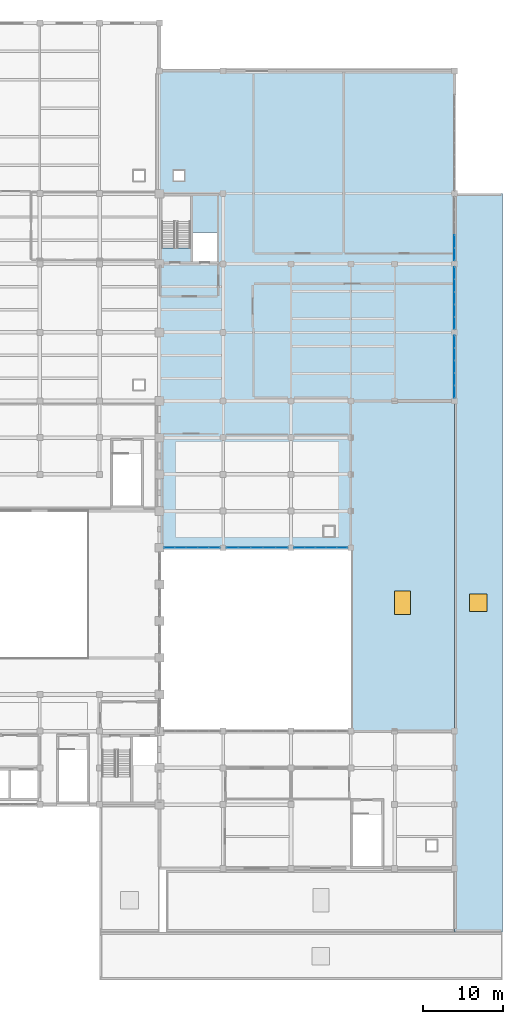
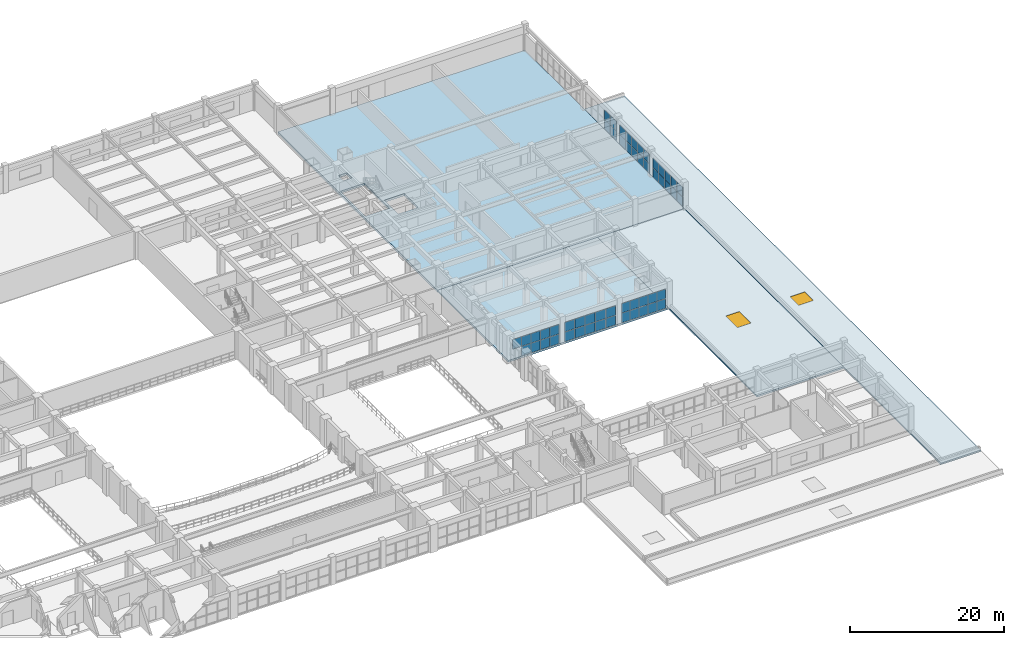
# One storey, part 61 of 90: 53 plates, 4 slabs, 2 windows, 2 openings, 6 elements without a shape of their own.
"""IFC4 building model written with IfcOpenShell, lengths in metres."""

from ifc_helpers import new_model, si_unit, direction, frame, origin, origin_2d, place, context, subcontext, project, spatial, polyline, rectangle, outline, extrude, material, layer, layer_set, type_object, element, fill, aggregate, save


model = new_model("IFC4")

# Units and contexts
model_context = context("Model", 3, precision=1e-05, world=origin(), true_north=direction((0.0, 1.0)))
body_context = subcontext(model_context, "Body", "Model", "MODEL_VIEW")
ifc_project = project(units=[si_unit("LENGTHUNIT", "METRE"), si_unit("AREAUNIT", "SQUARE_METRE"), si_unit("VOLUMEUNIT", "CUBIC_METRE"), si_unit("PLANEANGLEUNIT", "RADIAN"), si_unit("MASSUNIT", "GRAM", prefix="KILO")], contexts=[model_context])

# Site, building, storey
site_placement = place(None, origin())
site = spatial("IfcSite", under=ifc_project, at=site_placement, CompositionType="ELEMENT")
building_placement = place(site_placement, origin())
building = spatial("IfcBuilding", under=site, at=building_placement, Name="Muzn Square Opera House", CompositionType="ELEMENT")
storey_placement = place(building_placement, frame((0.0, 0.0, 9.800048828125)))
storey = spatial("IfcBuildingStorey", under=building, at=storey_placement, Name="L02", CompositionType="ELEMENT", Elevation=9.800048828125)

# Curtain wall, plates
ifc_material_1 = material(Name="Low-E laminated acoustic double glazing", Category="glass")
ifc_layer_1 = layer(ifc_material_1, 0.159912109375, Name="Low-E laminated acoustic double glazing", Category="glass")
ifc_layer_set_1 = layer_set([ifc_layer_1], Name="Low-E laminated acoustic double glazing")
curtain_wall_type_1 = type_object("IfcCurtainWallType", Name="Glazed Curtain Wall EastCloisterN 7075x3150", PredefinedType="USERDEFINED", material=ifc_layer_set_1)
curtain_wall_1_placement = place(storey_placement, origin())
curtain_wall_1 = element("IfcCurtainWall", 1, at=curtain_wall_1_placement, inside=storey, type_object=curtain_wall_type_1, Name="Glazed Curtain Wall CW-L02-100", ObjectType="GLAZED CURTAIN WALL", PredefinedType="USERDEFINED")
ifc_layer_2 = layer(ifc_material_1, 0.028076171875, Name="Low-E laminated acoustic double glazing", Category="glass")
ifc_layer_set_2 = layer_set([ifc_layer_2], Name="Low-E laminated acoustic double glazing")
plate_type = type_object("IfcPlateType", Name="Curtain Wall Acoustic Glazed Panel 28mm", PredefinedType="CURTAIN_PANEL", material=ifc_layer_set_2)
plate_1_placement = place(storey_placement, frame((134.2724609375, 54.199951171875, 1.60498046875), z_axis=(0.0, 0.0, 1.0), x_axis=(1.0, 0.0, 0.0)))
plate_1 = element("IfcPlate", 2, at=plate_1_placement, type_object=plate_type, Name="CW-ECN-70x31 panel 1.2", PredefinedType="CURTAIN_PANEL", context=body_context, shape_type="SweptSolid", body=[
    extrude(rectangle(XDim=1.324951171875, YDim=0.028076171875, at=origin_2d()), origin(), (0.0, 0.0, 1.0), 1.485107421875),
])
plate_2_placement = place(storey_placement, frame((135.672607421875, 54.199951171875, 0.06005859375), z_axis=(0.0, 0.0, 1.0), x_axis=(1.0, 0.0, 0.0)))
plate_2 = element("IfcPlate", 3, at=plate_2_placement, type_object=plate_type, Name="CW-ECN-70x31 panel 2.1", PredefinedType="CURTAIN_PANEL", context=body_context, shape_type="SweptSolid", body=[
    extrude(rectangle(XDim=1.35498046875, YDim=0.028076171875, at=origin_2d()), origin(), (0.0, 0.0, 1.0), 1.485107421875),
])
plate_3_placement = place(storey_placement, frame((135.672607421875, 54.199951171875, 1.60498046875), z_axis=(0.0, 0.0, 1.0), x_axis=(1.0, 0.0, 0.0)))
plate_3 = element("IfcPlate", 4, at=plate_3_placement, type_object=plate_type, Name="CW-ECN-70x31 panel 2.2", PredefinedType="CURTAIN_PANEL", context=body_context, shape_type="SweptSolid", body=[
    extrude(rectangle(XDim=1.35498046875, YDim=0.028076171875, at=origin_2d()), origin(), (0.0, 0.0, 1.0), 1.485107421875),
])
plate_4_placement = place(storey_placement, frame((137.08740234375, 54.199951171875, 0.06005859375), z_axis=(0.0, 0.0, 1.0), x_axis=(1.0, 0.0, 0.0)))
plate_4 = element("IfcPlate", 5, at=plate_4_placement, type_object=plate_type, Name="CW-ECN-70x31 panel 3.1", PredefinedType="CURTAIN_PANEL", context=body_context, shape_type="SweptSolid", body=[
    extrude(rectangle(XDim=1.35498046875, YDim=0.028076171875, at=origin_2d()), origin(), (0.0, 0.0, 1.0), 1.485107421875),
])
plate_5_placement = place(storey_placement, frame((137.08740234375, 54.199951171875, 1.60498046875), z_axis=(0.0, 0.0, 1.0), x_axis=(1.0, 0.0, 0.0)))
plate_5 = element("IfcPlate", 6, at=plate_5_placement, type_object=plate_type, Name="CW-ECN-70x31 panel 3.2", PredefinedType="CURTAIN_PANEL", context=body_context, shape_type="SweptSolid", body=[
    extrude(rectangle(XDim=1.35498046875, YDim=0.028076171875, at=origin_2d()), origin(), (0.0, 0.0, 1.0), 1.485107421875),
])
plate_6_placement = place(storey_placement, frame((138.50244140625, 54.199951171875, 0.06005859375), z_axis=(0.0, 0.0, 1.0), x_axis=(1.0, 0.0, 0.0)))
plate_6 = element("IfcPlate", 7, at=plate_6_placement, type_object=plate_type, Name="CW-ECN-70x31 panel 4.1", PredefinedType="CURTAIN_PANEL", context=body_context, shape_type="SweptSolid", body=[
    extrude(rectangle(XDim=1.35498046875, YDim=0.028076171875, at=origin_2d()), origin(), (0.0, 0.0, 1.0), 1.485107421875),
])
plate_7_placement = place(storey_placement, frame((138.50244140625, 54.199951171875, 1.60498046875), z_axis=(0.0, 0.0, 1.0), x_axis=(1.0, 0.0, 0.0)))
plate_7 = element("IfcPlate", 8, at=plate_7_placement, type_object=plate_type, Name="CW-ECN-70x31 panel 4.2", PredefinedType="CURTAIN_PANEL", context=body_context, shape_type="SweptSolid", body=[
    extrude(rectangle(XDim=1.35498046875, YDim=0.028076171875, at=origin_2d()), origin(), (0.0, 0.0, 1.0), 1.485107421875),
])
plate_8_placement = place(storey_placement, frame((139.902587890625, 54.199951171875, 0.06005859375), z_axis=(0.0, 0.0, 1.0), x_axis=(1.0, 0.0, 0.0)))
plate_8 = element("IfcPlate", 9, at=plate_8_placement, type_object=plate_type, Name="CW-ECN-70x31 panel 5.1", PredefinedType="CURTAIN_PANEL", context=body_context, shape_type="SweptSolid", body=[
    extrude(rectangle(XDim=1.324951171875, YDim=0.028076171875, at=origin_2d()), origin(), (0.0, 0.0, 1.0), 1.485107421875),
])
plate_9_placement = place(storey_placement, frame((139.902587890625, 54.199951171875, 1.60498046875), z_axis=(0.0, 0.0, 1.0), x_axis=(1.0, 0.0, 0.0)))
plate_9 = element("IfcPlate", 10, at=plate_9_placement, type_object=plate_type, Name="CW-ECN-70x31 panel 5.2", PredefinedType="CURTAIN_PANEL", context=body_context, shape_type="SweptSolid", body=[
    extrude(rectangle(XDim=1.324951171875, YDim=0.028076171875, at=origin_2d()), origin(), (0.0, 0.0, 1.0), 1.485107421875),
])
aggregate(curtain_wall_1, [plate_1, plate_2, plate_3, plate_4, plate_5, plate_6, plate_7, plate_8, plate_9])

ifc_layer_3 = layer(ifc_material_1, 0.159912109375, Name="Low-E laminated acoustic double glazing", Category="glass")
ifc_layer_set_3 = layer_set([ifc_layer_3], Name="Low-E laminated acoustic double glazing")
curtain_wall_type_2 = type_object("IfcCurtainWallType", Name="Glazed Curtain Wall EastCloisterN 7750x3150", PredefinedType="USERDEFINED", material=ifc_layer_set_3)
curtain_wall_2_placement = place(storey_placement, origin())
curtain_wall_2 = element("IfcCurtainWall", 11, at=curtain_wall_2_placement, inside=storey, type_object=curtain_wall_type_2, Name="Glazed Curtain Wall CW-L02-102", ObjectType="GLAZED CURTAIN WALL", PredefinedType="USERDEFINED")
plate_10_placement = place(storey_placement, frame((142.1650390625, 54.199951171875, 0.06005859375), z_axis=(0.0, 0.0, 1.0), x_axis=(1.0, 0.0, 0.0)))
plate_10 = element("IfcPlate", 12, at=plate_10_placement, type_object=plate_type, Name="CW-ECN-77x31 panel 1.1", PredefinedType="CURTAIN_PANEL", context=body_context, shape_type="SweptSolid", body=[
    extrude(rectangle(XDim=1.4599609375, YDim=0.028076171875, at=origin_2d()), origin(), (0.0, 0.0, 1.0), 1.485107421875),
])
plate_11_placement = place(storey_placement, frame((142.1650390625, 54.199951171875, 1.60498046875), z_axis=(0.0, 0.0, 1.0), x_axis=(1.0, 0.0, 0.0)))
plate_11 = element("IfcPlate", 13, at=plate_11_placement, type_object=plate_type, Name="CW-ECN-77x31 panel 1.2", PredefinedType="CURTAIN_PANEL", context=body_context, shape_type="SweptSolid", body=[
    extrude(rectangle(XDim=1.4599609375, YDim=0.028076171875, at=origin_2d()), origin(), (0.0, 0.0, 1.0), 1.485107421875),
])
plate_12_placement = place(storey_placement, frame((143.699951171875, 54.199951171875, 0.06005859375), z_axis=(0.0, 0.0, 1.0), x_axis=(1.0, 0.0, 0.0)))
plate_12 = element("IfcPlate", 14, at=plate_12_placement, type_object=plate_type, Name="CW-ECN-77x31 panel 2.1", PredefinedType="CURTAIN_PANEL", context=body_context, shape_type="SweptSolid", body=[
    extrude(rectangle(XDim=1.489990234375, YDim=0.028076171875, at=origin_2d()), origin(), (0.0, 0.0, 1.0), 1.485107421875),
])
plate_13_placement = place(storey_placement, frame((143.699951171875, 54.199951171875, 1.60498046875), z_axis=(0.0, 0.0, 1.0), x_axis=(1.0, 0.0, 0.0)))
plate_13 = element("IfcPlate", 15, at=plate_13_placement, type_object=plate_type, Name="CW-ECN-77x31 panel 2.2", PredefinedType="CURTAIN_PANEL", context=body_context, shape_type="SweptSolid", body=[
    extrude(rectangle(XDim=1.489990234375, YDim=0.028076171875, at=origin_2d()), origin(), (0.0, 0.0, 1.0), 1.485107421875),
])
plate_14_placement = place(storey_placement, frame((145.25, 54.199951171875, 0.06005859375), z_axis=(0.0, 0.0, 1.0), x_axis=(1.0, 0.0, 0.0)))
plate_14 = element("IfcPlate", 16, at=plate_14_placement, type_object=plate_type, Name="CW-ECN-77x31 panel 3.1", PredefinedType="CURTAIN_PANEL", context=body_context, shape_type="SweptSolid", body=[
    extrude(rectangle(XDim=1.489990234375, YDim=0.028076171875, at=origin_2d()), origin(), (0.0, 0.0, 1.0), 1.485107421875),
])
plate_15_placement = place(storey_placement, frame((145.25, 54.199951171875, 1.60498046875), z_axis=(0.0, 0.0, 1.0), x_axis=(1.0, 0.0, 0.0)))
plate_15 = element("IfcPlate", 17, at=plate_15_placement, type_object=plate_type, Name="CW-ECN-77x31 panel 3.2", PredefinedType="CURTAIN_PANEL", context=body_context, shape_type="SweptSolid", body=[
    extrude(rectangle(XDim=1.489990234375, YDim=0.028076171875, at=origin_2d()), origin(), (0.0, 0.0, 1.0), 1.485107421875),
])
plate_16_placement = place(storey_placement, frame((146.800048828125, 54.199951171875, 0.06005859375), z_axis=(0.0, 0.0, 1.0), x_axis=(1.0, 0.0, 0.0)))
plate_16 = element("IfcPlate", 18, at=plate_16_placement, type_object=plate_type, Name="CW-ECN-77x31 panel 4.1", PredefinedType="CURTAIN_PANEL", context=body_context, shape_type="SweptSolid", body=[
    extrude(rectangle(XDim=1.489990234375, YDim=0.028076171875, at=origin_2d()), origin(), (0.0, 0.0, 1.0), 1.485107421875),
])
plate_17_placement = place(storey_placement, frame((146.800048828125, 54.199951171875, 1.60498046875), z_axis=(0.0, 0.0, 1.0), x_axis=(1.0, 0.0, 0.0)))
plate_17 = element("IfcPlate", 19, at=plate_17_placement, type_object=plate_type, Name="CW-ECN-77x31 panel 4.2", PredefinedType="CURTAIN_PANEL", context=body_context, shape_type="SweptSolid", body=[
    extrude(rectangle(XDim=1.489990234375, YDim=0.028076171875, at=origin_2d()), origin(), (0.0, 0.0, 1.0), 1.485107421875),
])
plate_18_placement = place(storey_placement, frame((148.3349609375, 54.199951171875, 0.06005859375), z_axis=(0.0, 0.0, 1.0), x_axis=(1.0, 0.0, 0.0)))
plate_18 = element("IfcPlate", 20, at=plate_18_placement, type_object=plate_type, Name="CW-ECN-77x31 panel 5.1", PredefinedType="CURTAIN_PANEL", context=body_context, shape_type="SweptSolid", body=[
    extrude(rectangle(XDim=1.4599609375, YDim=0.028076171875, at=origin_2d()), origin(), (0.0, 0.0, 1.0), 1.485107421875),
])
plate_19_placement = place(storey_placement, frame((148.3349609375, 54.199951171875, 1.60498046875), z_axis=(0.0, 0.0, 1.0), x_axis=(1.0, 0.0, 0.0)))
plate_19 = element("IfcPlate", 21, at=plate_19_placement, type_object=plate_type, Name="CW-ECN-77x31 panel 5.2", PredefinedType="CURTAIN_PANEL", context=body_context, shape_type="SweptSolid", body=[
    extrude(rectangle(XDim=1.4599609375, YDim=0.028076171875, at=origin_2d()), origin(), (0.0, 0.0, 1.0), 1.485107421875),
])
aggregate(curtain_wall_2, [plate_10, plate_11, plate_12, plate_13, plate_14, plate_15, plate_16, plate_17, plate_18, plate_19])

ifc_layer_4 = layer(ifc_material_1, 0.159912109375, Name="Low-E laminated acoustic double glazing", Category="glass")
ifc_layer_set_4 = layer_set([ifc_layer_4], Name="Low-E laminated acoustic double glazing")
curtain_wall_type_3 = type_object("IfcCurtainWallType", Name="Glazed Curtain Wall EastCloisterN 6750x3150", PredefinedType="USERDEFINED", material=ifc_layer_set_4)
curtain_wall_3_placement = place(storey_placement, origin())
curtain_wall_3 = element("IfcCurtainWall", 22, at=curtain_wall_3_placement, inside=storey, type_object=curtain_wall_type_3, Name="Glazed Curtain Wall CW-L02-104", ObjectType="GLAZED CURTAIN WALL", PredefinedType="USERDEFINED")
plate_20_placement = place(storey_placement, frame((150.56494140625, 54.199951171875, 0.06005859375), z_axis=(0.0, 0.0, 1.0), x_axis=(1.0, 0.0, 0.0)))
plate_20 = element("IfcPlate", 23, at=plate_20_placement, type_object=plate_type, Name="CW-ECN-67x31 panel 1.1", PredefinedType="CURTAIN_PANEL", context=body_context, shape_type="SweptSolid", body=[
    extrude(rectangle(XDim=1.260009765625, YDim=0.028076171875, at=origin_2d()), origin(), (0.0, 0.0, 1.0), 1.485107421875),
])
plate_21_placement = place(storey_placement, frame((150.56494140625, 54.199951171875, 1.60498046875), z_axis=(0.0, 0.0, 1.0), x_axis=(1.0, 0.0, 0.0)))
plate_21 = element("IfcPlate", 24, at=plate_21_placement, type_object=plate_type, Name="CW-ECN-67x31 panel 1.2", PredefinedType="CURTAIN_PANEL", context=body_context, shape_type="SweptSolid", body=[
    extrude(rectangle(XDim=1.260009765625, YDim=0.028076171875, at=origin_2d()), origin(), (0.0, 0.0, 1.0), 1.485107421875),
])
plate_22_placement = place(storey_placement, frame((151.89990234375, 54.199951171875, 0.06005859375), z_axis=(0.0, 0.0, 1.0), x_axis=(1.0, 0.0, 0.0)))
plate_22 = element("IfcPlate", 25, at=plate_22_placement, type_object=plate_type, Name="CW-ECN-67x31 panel 2.1", PredefinedType="CURTAIN_PANEL", context=body_context, shape_type="SweptSolid", body=[
    extrude(rectangle(XDim=1.2900390625, YDim=0.028076171875, at=origin_2d()), origin(), (0.0, 0.0, 1.0), 1.485107421875),
])
plate_23_placement = place(storey_placement, frame((151.89990234375, 54.199951171875, 1.60498046875), z_axis=(0.0, 0.0, 1.0), x_axis=(1.0, 0.0, 0.0)))
plate_23 = element("IfcPlate", 26, at=plate_23_placement, type_object=plate_type, Name="CW-ECN-67x31 panel 2.2", PredefinedType="CURTAIN_PANEL", context=body_context, shape_type="SweptSolid", body=[
    extrude(rectangle(XDim=1.2900390625, YDim=0.028076171875, at=origin_2d()), origin(), (0.0, 0.0, 1.0), 1.485107421875),
])
plate_24_placement = place(storey_placement, frame((153.25, 54.199951171875, 0.06005859375), z_axis=(0.0, 0.0, 1.0), x_axis=(1.0, 0.0, 0.0)))
plate_24 = element("IfcPlate", 27, at=plate_24_placement, type_object=plate_type, Name="CW-ECN-67x31 panel 3.1", PredefinedType="CURTAIN_PANEL", context=body_context, shape_type="SweptSolid", body=[
    extrude(rectangle(XDim=1.2900390625, YDim=0.028076171875, at=origin_2d()), origin(), (0.0, 0.0, 1.0), 1.485107421875),
])
plate_25_placement = place(storey_placement, frame((153.25, 54.199951171875, 1.60498046875), z_axis=(0.0, 0.0, 1.0), x_axis=(1.0, 0.0, 0.0)))
plate_25 = element("IfcPlate", 28, at=plate_25_placement, type_object=plate_type, Name="CW-ECN-67x31 panel 3.2", PredefinedType="CURTAIN_PANEL", context=body_context, shape_type="SweptSolid", body=[
    extrude(rectangle(XDim=1.2900390625, YDim=0.028076171875, at=origin_2d()), origin(), (0.0, 0.0, 1.0), 1.485107421875),
])
plate_26_placement = place(storey_placement, frame((154.60009765625, 54.199951171875, 0.06005859375), z_axis=(0.0, 0.0, 1.0), x_axis=(1.0, 0.0, 0.0)))
plate_26 = element("IfcPlate", 29, at=plate_26_placement, type_object=plate_type, Name="CW-ECN-67x31 panel 4.1", PredefinedType="CURTAIN_PANEL", context=body_context, shape_type="SweptSolid", body=[
    extrude(rectangle(XDim=1.2900390625, YDim=0.028076171875, at=origin_2d()), origin(), (0.0, 0.0, 1.0), 1.485107421875),
])
plate_27_placement = place(storey_placement, frame((154.60009765625, 54.199951171875, 1.60498046875), z_axis=(0.0, 0.0, 1.0), x_axis=(1.0, 0.0, 0.0)))
plate_27 = element("IfcPlate", 30, at=plate_27_placement, type_object=plate_type, Name="CW-ECN-67x31 panel 4.2", PredefinedType="CURTAIN_PANEL", context=body_context, shape_type="SweptSolid", body=[
    extrude(rectangle(XDim=1.2900390625, YDim=0.028076171875, at=origin_2d()), origin(), (0.0, 0.0, 1.0), 1.485107421875),
])
plate_28_placement = place(storey_placement, frame((155.93505859375, 54.199951171875, 0.06005859375), z_axis=(0.0, 0.0, 1.0), x_axis=(1.0, 0.0, 0.0)))
plate_28 = element("IfcPlate", 31, at=plate_28_placement, type_object=plate_type, Name="CW-ECN-67x31 panel 5.1", PredefinedType="CURTAIN_PANEL", context=body_context, shape_type="SweptSolid", body=[
    extrude(rectangle(XDim=1.260009765625, YDim=0.028076171875, at=origin_2d()), origin(), (0.0, 0.0, 1.0), 1.485107421875),
])
plate_29_placement = place(storey_placement, frame((155.93505859375, 54.199951171875, 1.60498046875), z_axis=(0.0, 0.0, 1.0), x_axis=(1.0, 0.0, 0.0)))
plate_29 = element("IfcPlate", 32, at=plate_29_placement, type_object=plate_type, Name="CW-ECN-67x31 panel 5.2", PredefinedType="CURTAIN_PANEL", context=body_context, shape_type="SweptSolid", body=[
    extrude(rectangle(XDim=1.260009765625, YDim=0.028076171875, at=origin_2d()), origin(), (0.0, 0.0, 1.0), 1.485107421875),
])
aggregate(curtain_wall_3, [plate_20, plate_21, plate_22, plate_23, plate_24, plate_25, plate_26, plate_27, plate_28, plate_29])

ifc_layer_5 = layer(ifc_material_1, 0.159912109375, Name="Low-E laminated acoustic double glazing", Category="glass")
ifc_layer_set_5 = layer_set([ifc_layer_5], Name="Low-E laminated acoustic double glazing")
curtain_wall_type_4 = type_object("IfcCurtainWallType", Name="Glazed Curtain Wall RehearsalEast 7850x3150", PredefinedType="USERDEFINED", material=ifc_layer_set_5)
curtain_wall_4_placement = place(storey_placement, origin())
curtain_wall_4 = element("IfcCurtainWall", 33, at=curtain_wall_4_placement, inside=storey, type_object=curtain_wall_type_4, Name="Glazed Curtain Wall CW-L02-122", ObjectType="GLAZED CURTAIN WALL", PredefinedType="USERDEFINED")
plate_30_placement = place(storey_placement, frame((170.0, 73.77490234375, 0.06005859375), z_axis=(0.0, 0.0, 1.0), x_axis=(0.0, 1.0, 0.0)))
plate_30 = element("IfcPlate", 34, at=plate_30_placement, type_object=plate_type, Name="CW-RHE-78x31 panel 1.1", PredefinedType="CURTAIN_PANEL", context=body_context, shape_type="SweptSolid", body=[
    extrude(rectangle(XDim=1.47998046875, YDim=0.028076171875, at=origin_2d()), origin(), (0.0, 0.0, 1.0), 1.485107421875),
])
plate_31_placement = place(storey_placement, frame((170.0, 73.77490234375, 1.60498046875), z_axis=(0.0, 0.0, 1.0), x_axis=(0.0, 1.0, 0.0)))
plate_31 = element("IfcPlate", 35, at=plate_31_placement, type_object=plate_type, Name="CW-RHE-78x31 panel 1.2", PredefinedType="CURTAIN_PANEL", context=body_context, shape_type="SweptSolid", body=[
    extrude(rectangle(XDim=1.47998046875, YDim=0.028076171875, at=origin_2d()), origin(), (0.0, 0.0, 1.0), 1.485107421875),
])
plate_32_placement = place(storey_placement, frame((170.0, 75.330078125, 0.06005859375), z_axis=(0.0, 0.0, 1.0), x_axis=(0.0, 1.0, 0.0)))
plate_32 = element("IfcPlate", 36, at=plate_32_placement, type_object=plate_type, Name="CW-RHE-78x31 panel 2.1", PredefinedType="CURTAIN_PANEL", context=body_context, shape_type="SweptSolid", body=[
    extrude(rectangle(XDim=1.510009765625, YDim=0.028076171875, at=origin_2d()), origin(), (0.0, 0.0, 1.0), 1.485107421875),
])
plate_33_placement = place(storey_placement, frame((170.0, 75.330078125, 1.60498046875), z_axis=(0.0, 0.0, 1.0), x_axis=(0.0, 1.0, 0.0)))
plate_33 = element("IfcPlate", 37, at=plate_33_placement, type_object=plate_type, Name="CW-RHE-78x31 panel 2.2", PredefinedType="CURTAIN_PANEL", context=body_context, shape_type="SweptSolid", body=[
    extrude(rectangle(XDim=1.510009765625, YDim=0.028076171875, at=origin_2d()), origin(), (0.0, 0.0, 1.0), 1.485107421875),
])
plate_34_placement = place(storey_placement, frame((170.0, 76.89990234375, 0.06005859375), z_axis=(0.0, 0.0, 1.0), x_axis=(0.0, 1.0, 0.0)))
plate_34 = element("IfcPlate", 38, at=plate_34_placement, type_object=plate_type, Name="CW-RHE-78x31 panel 3.1", PredefinedType="CURTAIN_PANEL", context=body_context, shape_type="SweptSolid", body=[
    extrude(rectangle(XDim=1.510009765625, YDim=0.028076171875, at=origin_2d()), origin(), (0.0, 0.0, 1.0), 1.485107421875),
])
plate_35_placement = place(storey_placement, frame((170.0, 76.89990234375, 1.60498046875), z_axis=(0.0, 0.0, 1.0), x_axis=(0.0, 1.0, 0.0)))
plate_35 = element("IfcPlate", 39, at=plate_35_placement, type_object=plate_type, Name="CW-RHE-78x31 panel 3.2", PredefinedType="CURTAIN_PANEL", context=body_context, shape_type="SweptSolid", body=[
    extrude(rectangle(XDim=1.510009765625, YDim=0.028076171875, at=origin_2d()), origin(), (0.0, 0.0, 1.0), 1.485107421875),
])
plate_36_placement = place(storey_placement, frame((170.0, 78.469970703125, 0.06005859375), z_axis=(0.0, 0.0, 1.0), x_axis=(0.0, 1.0, 0.0)))
plate_36 = element("IfcPlate", 40, at=plate_36_placement, type_object=plate_type, Name="CW-RHE-78x31 panel 4.1", PredefinedType="CURTAIN_PANEL", context=body_context, shape_type="SweptSolid", body=[
    extrude(rectangle(XDim=1.510009765625, YDim=0.028076171875, at=origin_2d()), origin(), (0.0, 0.0, 1.0), 1.485107421875),
])
plate_37_placement = place(storey_placement, frame((170.0, 78.469970703125, 1.60498046875), z_axis=(0.0, 0.0, 1.0), x_axis=(0.0, 1.0, 0.0)))
plate_37 = element("IfcPlate", 41, at=plate_37_placement, type_object=plate_type, Name="CW-RHE-78x31 panel 4.2", PredefinedType="CURTAIN_PANEL", context=body_context, shape_type="SweptSolid", body=[
    extrude(rectangle(XDim=1.510009765625, YDim=0.028076171875, at=origin_2d()), origin(), (0.0, 0.0, 1.0), 1.485107421875),
])
plate_38_placement = place(storey_placement, frame((170.0, 80.02490234375, 0.06005859375), z_axis=(0.0, 0.0, 1.0), x_axis=(0.0, 1.0, 0.0)))
plate_38 = element("IfcPlate", 42, at=plate_38_placement, type_object=plate_type, Name="CW-RHE-78x31 panel 5.1", PredefinedType="CURTAIN_PANEL", context=body_context, shape_type="SweptSolid", body=[
    extrude(rectangle(XDim=1.47998046875, YDim=0.028076171875, at=origin_2d()), origin(), (0.0, 0.0, 1.0), 1.485107421875),
])
plate_39_placement = place(storey_placement, frame((170.0, 80.02490234375, 1.60498046875), z_axis=(0.0, 0.0, 1.0), x_axis=(0.0, 1.0, 0.0)))
plate_39 = element("IfcPlate", 43, at=plate_39_placement, type_object=plate_type, Name="CW-RHE-78x31 panel 5.2", PredefinedType="CURTAIN_PANEL", context=body_context, shape_type="SweptSolid", body=[
    extrude(rectangle(XDim=1.47998046875, YDim=0.028076171875, at=origin_2d()), origin(), (0.0, 0.0, 1.0), 1.485107421875),
])
aggregate(curtain_wall_4, [plate_30, plate_31, plate_32, plate_33, plate_34, plate_35, plate_36, plate_37, plate_38, plate_39])

curtain_wall_5_placement = place(storey_placement, origin())
curtain_wall_5 = element("IfcCurtainWall", 44, at=curtain_wall_5_placement, inside=storey, type_object=curtain_wall_type_4, Name="Glazed Curtain Wall CW-L02-123", ObjectType="GLAZED CURTAIN WALL", PredefinedType="USERDEFINED")
plate_40_placement = place(storey_placement, frame((170.0, 82.375, 0.06005859375), z_axis=(0.0, 0.0, 1.0), x_axis=(0.0, 1.0, 0.0)))
plate_40 = element("IfcPlate", 45, at=plate_40_placement, type_object=plate_type, Name="CW-RHE-78x31 panel 1.1", PredefinedType="CURTAIN_PANEL", context=body_context, shape_type="SweptSolid", body=[
    extrude(rectangle(XDim=1.47998046875, YDim=0.028076171875, at=origin_2d()), origin(), (0.0, 0.0, 1.0), 1.485107421875),
])
plate_41_placement = place(storey_placement, frame((170.0, 82.375, 1.60498046875), z_axis=(0.0, 0.0, 1.0), x_axis=(0.0, 1.0, 0.0)))
plate_41 = element("IfcPlate", 46, at=plate_41_placement, type_object=plate_type, Name="CW-RHE-78x31 panel 1.2", PredefinedType="CURTAIN_PANEL", context=body_context, shape_type="SweptSolid", body=[
    extrude(rectangle(XDim=1.47998046875, YDim=0.028076171875, at=origin_2d()), origin(), (0.0, 0.0, 1.0), 1.485107421875),
])
plate_42_placement = place(storey_placement, frame((170.0, 83.929931640625, 0.06005859375), z_axis=(0.0, 0.0, 1.0), x_axis=(0.0, 1.0, 0.0)))
plate_42 = element("IfcPlate", 47, at=plate_42_placement, type_object=plate_type, Name="CW-RHE-78x31 panel 2.1", PredefinedType="CURTAIN_PANEL", context=body_context, shape_type="SweptSolid", body=[
    extrude(rectangle(XDim=1.510009765625, YDim=0.028076171875, at=origin_2d()), origin(), (0.0, 0.0, 1.0), 1.485107421875),
])
plate_43_placement = place(storey_placement, frame((170.0, 83.929931640625, 1.60498046875), z_axis=(0.0, 0.0, 1.0), x_axis=(0.0, 1.0, 0.0)))
plate_43 = element("IfcPlate", 48, at=plate_43_placement, type_object=plate_type, Name="CW-RHE-78x31 panel 2.2", PredefinedType="CURTAIN_PANEL", context=body_context, shape_type="SweptSolid", body=[
    extrude(rectangle(XDim=1.510009765625, YDim=0.028076171875, at=origin_2d()), origin(), (0.0, 0.0, 1.0), 1.485107421875),
])
plate_44_placement = place(storey_placement, frame((170.0, 85.5, 0.06005859375), z_axis=(0.0, 0.0, 1.0), x_axis=(0.0, 1.0, 0.0)))
plate_44 = element("IfcPlate", 49, at=plate_44_placement, type_object=plate_type, Name="CW-RHE-78x31 panel 3.1", PredefinedType="CURTAIN_PANEL", context=body_context, shape_type="SweptSolid", body=[
    extrude(rectangle(XDim=1.510009765625, YDim=0.028076171875, at=origin_2d()), origin(), (0.0, 0.0, 1.0), 1.485107421875),
])
plate_45_placement = place(storey_placement, frame((170.0, 85.5, 1.60498046875), z_axis=(0.0, 0.0, 1.0), x_axis=(0.0, 1.0, 0.0)))
plate_45 = element("IfcPlate", 50, at=plate_45_placement, type_object=plate_type, Name="CW-RHE-78x31 panel 3.2", PredefinedType="CURTAIN_PANEL", context=body_context, shape_type="SweptSolid", body=[
    extrude(rectangle(XDim=1.510009765625, YDim=0.028076171875, at=origin_2d()), origin(), (0.0, 0.0, 1.0), 1.485107421875),
])
plate_46_placement = place(storey_placement, frame((170.0, 87.070068359375, 0.06005859375), z_axis=(0.0, 0.0, 1.0), x_axis=(0.0, 1.0, 0.0)))
plate_46 = element("IfcPlate", 51, at=plate_46_placement, type_object=plate_type, Name="CW-RHE-78x31 panel 4.1", PredefinedType="CURTAIN_PANEL", context=body_context, shape_type="SweptSolid", body=[
    extrude(rectangle(XDim=1.510009765625, YDim=0.028076171875, at=origin_2d()), origin(), (0.0, 0.0, 1.0), 1.485107421875),
])
plate_47_placement = place(storey_placement, frame((170.0, 87.070068359375, 1.60498046875), z_axis=(0.0, 0.0, 1.0), x_axis=(0.0, 1.0, 0.0)))
plate_47 = element("IfcPlate", 52, at=plate_47_placement, type_object=plate_type, Name="CW-RHE-78x31 panel 4.2", PredefinedType="CURTAIN_PANEL", context=body_context, shape_type="SweptSolid", body=[
    extrude(rectangle(XDim=1.510009765625, YDim=0.028076171875, at=origin_2d()), origin(), (0.0, 0.0, 1.0), 1.485107421875),
])
plate_48_placement = place(storey_placement, frame((170.0, 88.625, 0.06005859375), z_axis=(0.0, 0.0, 1.0), x_axis=(0.0, 1.0, 0.0)))
plate_48 = element("IfcPlate", 53, at=plate_48_placement, type_object=plate_type, Name="CW-RHE-78x31 panel 5.1", PredefinedType="CURTAIN_PANEL", context=body_context, shape_type="SweptSolid", body=[
    extrude(rectangle(XDim=1.47998046875, YDim=0.028076171875, at=origin_2d()), origin(), (0.0, 0.0, 1.0), 1.485107421875),
])
plate_49_placement = place(storey_placement, frame((170.0, 88.625, 1.60498046875), z_axis=(0.0, 0.0, 1.0), x_axis=(0.0, 1.0, 0.0)))
plate_49 = element("IfcPlate", 54, at=plate_49_placement, type_object=plate_type, Name="CW-RHE-78x31 panel 5.2", PredefinedType="CURTAIN_PANEL", context=body_context, shape_type="SweptSolid", body=[
    extrude(rectangle(XDim=1.47998046875, YDim=0.028076171875, at=origin_2d()), origin(), (0.0, 0.0, 1.0), 1.485107421875),
])
aggregate(curtain_wall_5, [plate_40, plate_41, plate_42, plate_43, plate_44, plate_45, plate_46, plate_47, plate_48, plate_49])

ifc_layer_6 = layer(ifc_material_1, 0.159912109375, Name="Low-E laminated acoustic double glazing", Category="glass")
ifc_layer_set_6 = layer_set([ifc_layer_6], Name="Low-E laminated acoustic double glazing")
curtain_wall_type_5 = type_object("IfcCurtainWallType", Name="Glazed Curtain Wall RehearsalEast 8050x3150", PredefinedType="USERDEFINED", material=ifc_layer_set_6)
curtain_wall_6_placement = place(storey_placement, origin())
curtain_wall_6 = element("IfcCurtainWall", 55, at=curtain_wall_6_placement, inside=storey, type_object=curtain_wall_type_5, Name="Glazed Curtain Wall CW-L02-124", ObjectType="GLAZED CURTAIN WALL", PredefinedType="USERDEFINED")
plate_50_placement = place(storey_placement, frame((170.0, 90.9951171875, 0.06005859375), z_axis=(0.0, 0.0, 1.0), x_axis=(0.0, 1.0, 0.0)))
plate_50 = element("IfcPlate", 56, at=plate_50_placement, type_object=plate_type, Name="CW-RHE-80x31 panel 1.1", PredefinedType="CURTAIN_PANEL", context=body_context, shape_type="SweptSolid", body=[
    extrude(rectangle(XDim=1.52001953125, YDim=0.028076171875, at=origin_2d()), origin(), (0.0, 0.0, 1.0), 1.485107421875),
])
plate_51_placement = place(storey_placement, frame((170.0, 90.9951171875, 1.60498046875), z_axis=(0.0, 0.0, 1.0), x_axis=(0.0, 1.0, 0.0)))
plate_51 = element("IfcPlate", 57, at=plate_51_placement, type_object=plate_type, Name="CW-RHE-80x31 panel 1.2", PredefinedType="CURTAIN_PANEL", context=body_context, shape_type="SweptSolid", body=[
    extrude(rectangle(XDim=1.52001953125, YDim=0.028076171875, at=origin_2d()), origin(), (0.0, 0.0, 1.0), 1.485107421875),
])
plate_52_placement = place(storey_placement, frame((170.0, 92.590087890625, 0.06005859375), z_axis=(0.0, 0.0, 1.0), x_axis=(0.0, 1.0, 0.0)))
plate_52 = element("IfcPlate", 58, at=plate_52_placement, type_object=plate_type, Name="CW-RHE-80x31 panel 2.1", PredefinedType="CURTAIN_PANEL", context=body_context, shape_type="SweptSolid", body=[
    extrude(rectangle(XDim=1.550048828125, YDim=0.028076171875, at=origin_2d()), origin(), (0.0, 0.0, 1.0), 1.485107421875),
])
plate_53_placement = place(storey_placement, frame((170.0, 92.590087890625, 1.60498046875), z_axis=(0.0, 0.0, 1.0), x_axis=(0.0, 1.0, 0.0)))
plate_53 = element("IfcPlate", 59, at=plate_53_placement, type_object=plate_type, Name="CW-RHE-80x31 panel 2.2", PredefinedType="CURTAIN_PANEL", context=body_context, shape_type="SweptSolid", body=[
    extrude(rectangle(XDim=1.550048828125, YDim=0.028076171875, at=origin_2d()), origin(), (0.0, 0.0, 1.0), 1.485107421875),
])
aggregate(curtain_wall_6, [plate_50, plate_51, plate_52, plate_53])

# Slabs
ifc_material_2 = material(Name="Concrete C40/50", Category="concrete")
ifc_layer_7 = layer(ifc_material_2, 0.280029296875, Name="Concrete C40/50", Category="concrete")
ifc_layer_set_7 = layer_set([ifc_layer_7], Name="Concrete C40/50")
slab_type_1 = type_object("IfcSlabType", Name="Floor Slab 280mm", PredefinedType="FLOOR", material=ifc_layer_set_7)
slab_1_placement = place(storey_placement, frame((0.0, 0.0, -0.280029296875)))
element("IfcSlab", 60, at=slab_1_placement, inside=storey, type_object=slab_type_1, Name="Floor Slab SLB-L02-EMID", PredefinedType="FLOOR", context=body_context, shape_type="SweptSolid", body=[
    extrude(outline(polyline([(133.0, 54.199951171875), (157.0, 54.199951171875), (157.0, 72.60009765625), (133.0, 72.60009765625), (133.0, 54.199951171875)]), holes=[polyline([(153.60009765625, 55.60009765625), (154.89990234375, 55.60009765625), (154.89990234375, 56.89990234375), (153.60009765625, 56.89990234375), (153.60009765625, 55.60009765625)])]), origin(), (0.0, 0.0, 1.0), 0.280029296875),
])
ifc_layer_8 = layer(ifc_material_2, 0.360107421875, Name="Concrete C40/50", Category="concrete")
ifc_layer_set_8 = layer_set([ifc_layer_8], Name="Concrete C40/50")
slab_type_2 = type_object("IfcSlabType", Name="Floor Slab 360mm", PredefinedType="FLOOR", material=ifc_layer_set_8)
slab_2_placement = place(storey_placement, frame((0.0, 0.0, -0.360107421875)))
element("IfcSlab", 61, at=slab_2_placement, inside=storey, type_object=slab_type_2, Name="Floor Slab SLB-L02-REHPAV", PredefinedType="FLOOR", context=body_context, shape_type="SweptSolid", body=[
    extrude(outline(polyline([(133.0, 72.60009765625), (170.0, 72.60009765625), (170.0, 114.0), (133.0, 114.0), (133.0, 72.60009765625)]), holes=[polyline([(133.300048828125, 91.76806640625), (136.89990234375, 91.76806640625), (136.89990234375, 98.300048828125), (133.300048828125, 98.300048828125), (133.300048828125, 91.76806640625)]), polyline([(137.199951171875, 90.10009765625), (140.199951171875, 90.10009765625), (140.199951171875, 93.699951171875), (137.199951171875, 93.699951171875), (137.199951171875, 90.10009765625)]), polyline([(134.800048828125, 100.199951171875), (136.10009765625, 100.199951171875), (136.10009765625, 101.5), (134.800048828125, 101.5), (134.800048828125, 100.199951171875)])]), origin(), (0.0, 0.0, 1.0), 0.360107421875),
])

# Slab, opening, window
ifc_layer_9 = layer(ifc_material_2, 0.25, Name="Concrete C40/50", Category="concrete")
ifc_layer_set_9 = layer_set([ifc_layer_9], Name="Concrete C40/50")
slab_type_3 = type_object("IfcSlabType", Name="Roof Slab 250mm", PredefinedType="ROOF", material=ifc_layer_set_9)
slab_3_placement = place(storey_placement, frame((0.0, 0.0, -0.25)))
slab_3 = element("IfcSlab", 62, at=slab_3_placement, inside=storey, type_object=slab_type_3, Name="Flat Roof Slab ROOF-L02-COL-EB", PredefinedType="ROOF", context=body_context, shape_type="SweptSolid", body=[
    extrude(outline(polyline([(170.0, 6.0), (176.0, 6.0), (176.0, 98.60009765625), (170.0, 98.60009765625), (170.0, 6.0)])), origin(), (0.0, 0.0, 1.0), 0.25),
])
opening_1_placement = place(slab_3_placement, frame((173.0, 47.300048828125, -0.010009765625)))
opening_1 = element("IfcOpeningElement", 63, at=opening_1_placement, cuts=slab_3, Name="Opening SK-2222", PredefinedType="OPENING", context=body_context, shape_type="SweptSolid", body=[
    extrude(rectangle(XDim=2.199951171875, YDim=2.199951171875, at=origin_2d()), origin(), (0.0, 0.0, 1.0), 0.27001953125),
])
window_type_1 = type_object("IfcWindowType", Name="Roof Skylight 2200x2200", PartitioningType="SINGLE_PANEL", PredefinedType="SKYLIGHT", material=ifc_material_1)
window_1_placement = place(slab_3_placement, frame((173.0, 47.300048828125, 0.18994140625)))
window_1 = element("IfcWindow", 64, at=window_1_placement, inside=storey, type_object=window_type_1, Name="Acoustic Roof Skylight SKY-L02-06", OverallHeight=2.199951171875, OverallWidth=2.199951171875, PartitioningType="SINGLE_PANEL", PredefinedType="SKYLIGHT", context=body_context, shape_type="SweptSolid", body=[
    extrude(rectangle(XDim=2.199951171875, YDim=2.199951171875, at=origin_2d()), origin(), (0.0, 0.0, 1.0), 0.06005859375),
])
fill(opening_1, window_1)

slab_4_placement = place(storey_placement, frame((0.0, 0.0, -0.25)))
slab_4 = element("IfcSlab", 65, at=slab_4_placement, inside=storey, type_object=slab_type_3, Name="Flat Roof Slab ROOF-L02-EOUTER", PredefinedType="ROOF", context=body_context, shape_type="SweptSolid", body=[
    extrude(outline(polyline([(157.0, 31.199951171875), (170.0, 31.199951171875), (170.0, 72.60009765625), (157.0, 72.60009765625), (157.0, 31.199951171875)])), origin(), (0.0, 0.0, 1.0), 0.25),
])
opening_2_placement = place(slab_4_placement, frame((163.5, 47.300048828125, -0.010009765625)))
opening_2 = element("IfcOpeningElement", 66, at=opening_2_placement, cuts=slab_4, Name="Opening SK-2030", PredefinedType="OPENING", context=body_context, shape_type="SweptSolid", body=[
    extrude(rectangle(XDim=2.0, YDim=3.0, at=origin_2d()), origin(), (0.0, 0.0, 1.0), 0.27001953125),
])
window_type_2 = type_object("IfcWindowType", Name="Roof Skylight 2000x3000", PartitioningType="SINGLE_PANEL", PredefinedType="SKYLIGHT", material=ifc_material_1)
window_2_placement = place(slab_4_placement, frame((163.5, 47.300048828125, 0.18994140625)))
window_2 = element("IfcWindow", 67, at=window_2_placement, inside=storey, type_object=window_type_2, Name="Acoustic Roof Skylight SKY-L02-08", OverallHeight=3.0, OverallWidth=2.0, PartitioningType="SINGLE_PANEL", PredefinedType="SKYLIGHT", context=body_context, shape_type="SweptSolid", body=[
    extrude(rectangle(XDim=2.0, YDim=3.0, at=origin_2d()), origin(), (0.0, 0.0, 1.0), 0.06005859375),
])
fill(opening_2, window_2)

save(model, "model.ifc")
